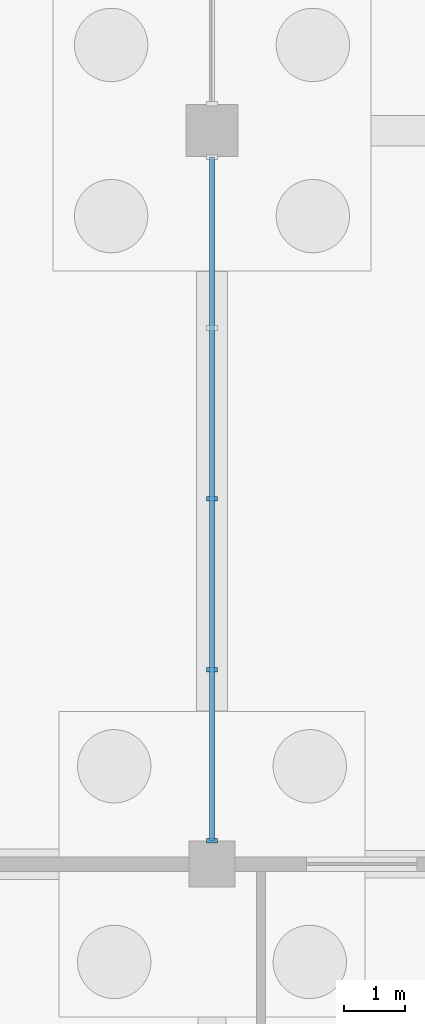
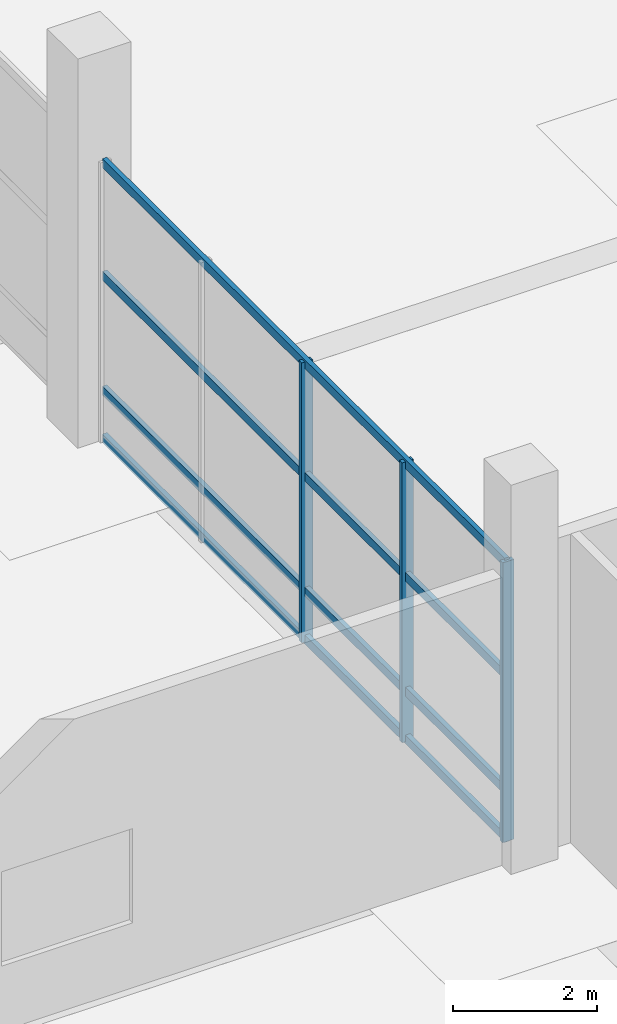
# One storey, part 50 of 117: 7 members, 1 element without a shape of its own.
"""IFC4 building model written with IfcOpenShell, lengths in metres."""

from ifc_helpers import new_model, si_unit, direction, frame, origin, origin_2d, place, context, subcontext, project, spatial, rectangle, extrude, material, material_profile, profile_set, type_object, element, aggregate, save


model = new_model("IFC4")

# Units and contexts
model_context = context("Model", 3, precision=1e-05, world=origin(), true_north=direction((0.0, 1.0)))
body_context = subcontext(model_context, "Body", "Model", "MODEL_VIEW")
ifc_project = project(units=[si_unit("LENGTHUNIT", "METRE"), si_unit("AREAUNIT", "SQUARE_METRE"), si_unit("VOLUMEUNIT", "CUBIC_METRE"), si_unit("PLANEANGLEUNIT", "RADIAN"), si_unit("MASSUNIT", "GRAM", prefix="KILO")], contexts=[model_context])

# Site, building, storey
site_placement = place(None, origin())
site = spatial("IfcSite", under=ifc_project, at=site_placement, CompositionType="ELEMENT")
building_placement = place(site_placement, origin())
building = spatial("IfcBuilding", under=site, at=building_placement, Name="Kamomehara Wholesale Market", CompositionType="ELEMENT")
storey_placement = place(building_placement, origin())
storey = spatial("IfcBuildingStorey", under=building, at=storey_placement, Name="L00", CompositionType="ELEMENT", Elevation=0.0)

# Curtain wall, members
ifc_material_1 = material(Name="Anodised aluminium 6063-T5", Category="aluminium")
curtain_wall_type = type_object("IfcCurtainWallType", Name="CW-UN-01", PredefinedType="NOTDEFINED", material=ifc_material_1)
curtain_wall_placement = place(storey_placement, origin())
curtain_wall = element("IfcCurtainWall", 1, at=curtain_wall_placement, inside=storey, type_object=curtain_wall_type, Name="Unitised curtain wall CW-174", PredefinedType="NOTDEFINED")
ifc_material_2 = material(Name="Anodised aluminium 6063-T5", Category="aluminium")
ifc_material_profile_1 = material_profile(ifc_material_2, rectangle(XDim=0.074951171875, YDim=0.179931640625, at=origin_2d()), Name="ALU-MUL-75x180")
ifc_profile_set_1 = profile_set([ifc_material_profile_1], Name="Anodised aluminium 6063-T5")
member_type_1 = type_object("IfcMemberType", Name="CW-MUL-180", PredefinedType="MULLION", material=ifc_profile_set_1)
member_1_placement = place(storey_placement, frame((156.0, 60.385009765625, 0.0), z_axis=(0.0, 0.0, 1.0), x_axis=(0.0, 1.0, 0.0)))
member_1 = element("IfcMember", 2, at=member_1_placement, type_object=member_type_1, Name="Mullion CW-174.0", PredefinedType="MULLION", context=body_context, shape_type="SweptSolid", body=[
    extrude(rectangle(XDim=0.074951171875, YDim=0.179931640625, at=origin_2d()), origin(), (0.0, 0.0, 1.0), 4.748046875),
])
member_2_placement = place(storey_placement, frame((156.0, 63.179931640625, 0.0), z_axis=(0.0, 0.0, 1.0), x_axis=(0.0, 1.0, 0.0)))
member_2 = element("IfcMember", 3, at=member_2_placement, type_object=member_type_1, Name="Mullion CW-174.1", PredefinedType="MULLION", context=body_context, shape_type="SweptSolid", body=[
    extrude(rectangle(XDim=0.074951171875, YDim=0.179931640625, at=origin_2d()), origin(), (0.0, 0.0, 1.0), 4.748046875),
])
member_3_placement = place(storey_placement, frame((156.0, 65.97509765625, 0.0), z_axis=(0.0, 0.0, 1.0), x_axis=(0.0, 1.0, 0.0)))
member_3 = element("IfcMember", 4, at=member_3_placement, type_object=member_type_1, Name="Mullion CW-174.2", PredefinedType="MULLION", context=body_context, shape_type="SweptSolid", body=[
    extrude(rectangle(XDim=0.074951171875, YDim=0.179931640625, at=origin_2d()), origin(), (0.0, 0.0, 1.0), 4.748046875),
])
ifc_material_3 = material(Name="Anodised aluminium 6063-T5", Category="aluminium")
ifc_material_profile_2 = material_profile(ifc_material_3, rectangle(XDim=0.074951171875, YDim=0.14990234375, at=origin_2d()), Name="ALU-TRN-75x150")
ifc_profile_set_2 = profile_set([ifc_material_profile_2], Name="Anodised aluminium 6063-T5")
member_type_2 = type_object("IfcMemberType", Name="CW-TRN-150", PredefinedType="USERDEFINED", material=ifc_profile_set_2)
member_4_placement = place(storey_placement, frame((156.0, 60.385009765625, 0.0400390625), z_axis=(0.0, 1.0, 0.0), x_axis=(-1.0, 0.0, 0.0)))
member_4 = element("IfcMember", 5, at=member_4_placement, type_object=member_type_2, Name="Transom CW-174.0", ObjectType="TRANSOM", PredefinedType="USERDEFINED", context=body_context, shape_type="SweptSolid", body=[
    extrude(rectangle(XDim=0.074951171875, YDim=0.14990234375, at=origin_2d()), origin(), (0.0, 0.0, 1.0), 11.179931640625),
])
member_5_placement = place(storey_placement, frame((156.0, 60.385009765625, 0.85009765625), z_axis=(0.0, 1.0, 0.0), x_axis=(-1.0, 0.0, 0.0)))
member_5 = element("IfcMember", 6, at=member_5_placement, type_object=member_type_2, Name="Transom CW-174.1", ObjectType="TRANSOM", PredefinedType="USERDEFINED", context=body_context, shape_type="SweptSolid", body=[
    extrude(rectangle(XDim=0.074951171875, YDim=0.14990234375, at=origin_2d()), origin(), (0.0, 0.0, 1.0), 11.179931640625),
])
member_6_placement = place(storey_placement, frame((156.0, 60.385009765625, 2.799072265625), z_axis=(0.0, 1.0, 0.0), x_axis=(-1.0, 0.0, 0.0)))
member_6 = element("IfcMember", 7, at=member_6_placement, type_object=member_type_2, Name="Transom CW-174.2", ObjectType="TRANSOM", PredefinedType="USERDEFINED", context=body_context, shape_type="SweptSolid", body=[
    extrude(rectangle(XDim=0.074951171875, YDim=0.14990234375, at=origin_2d()), origin(), (0.0, 0.0, 1.0), 11.179931640625),
])
member_7_placement = place(storey_placement, frame((156.0, 60.385009765625, 4.7080078125), z_axis=(0.0, 1.0, 0.0), x_axis=(-1.0, 0.0, 0.0)))
member_7 = element("IfcMember", 8, at=member_7_placement, type_object=member_type_2, Name="Transom CW-174.3", ObjectType="TRANSOM", PredefinedType="USERDEFINED", context=body_context, shape_type="SweptSolid", body=[
    extrude(rectangle(XDim=0.074951171875, YDim=0.14990234375, at=origin_2d()), origin(), (0.0, 0.0, 1.0), 11.179931640625),
])
aggregate(curtain_wall, [member_1, member_2, member_3, member_4, member_5, member_6, member_7])

save(model, "model.ifc")
